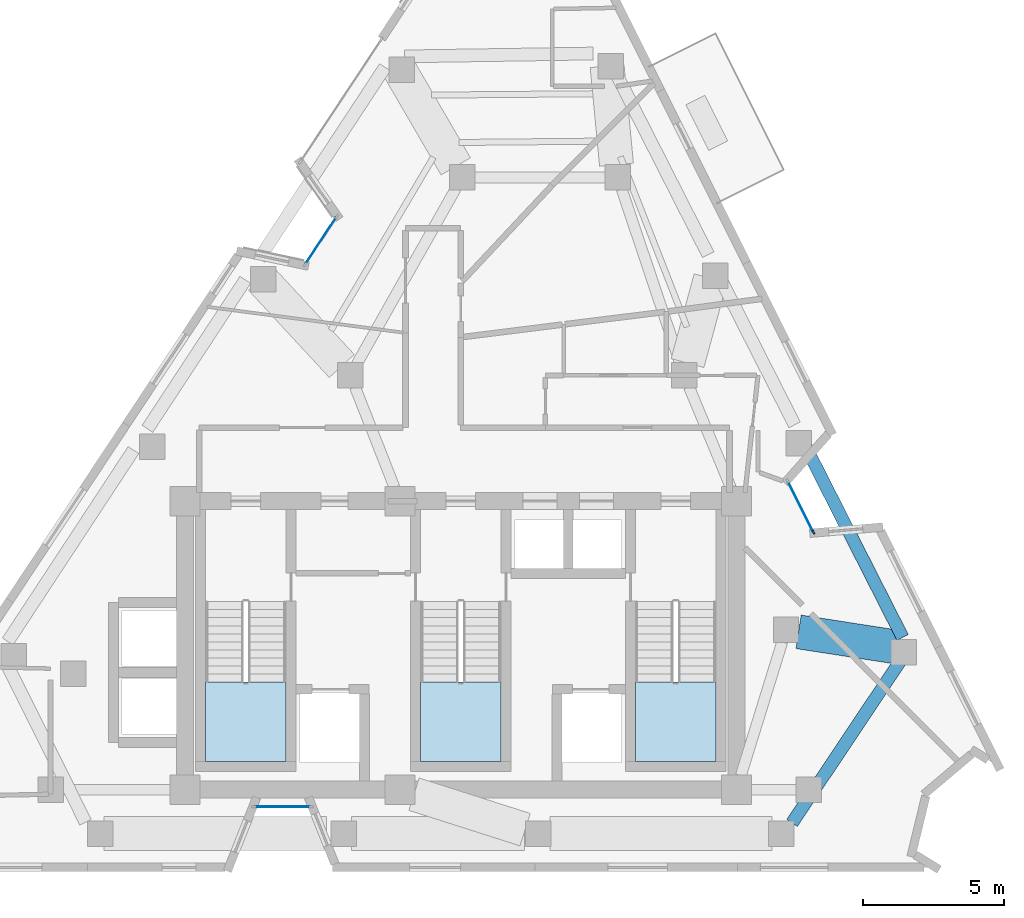
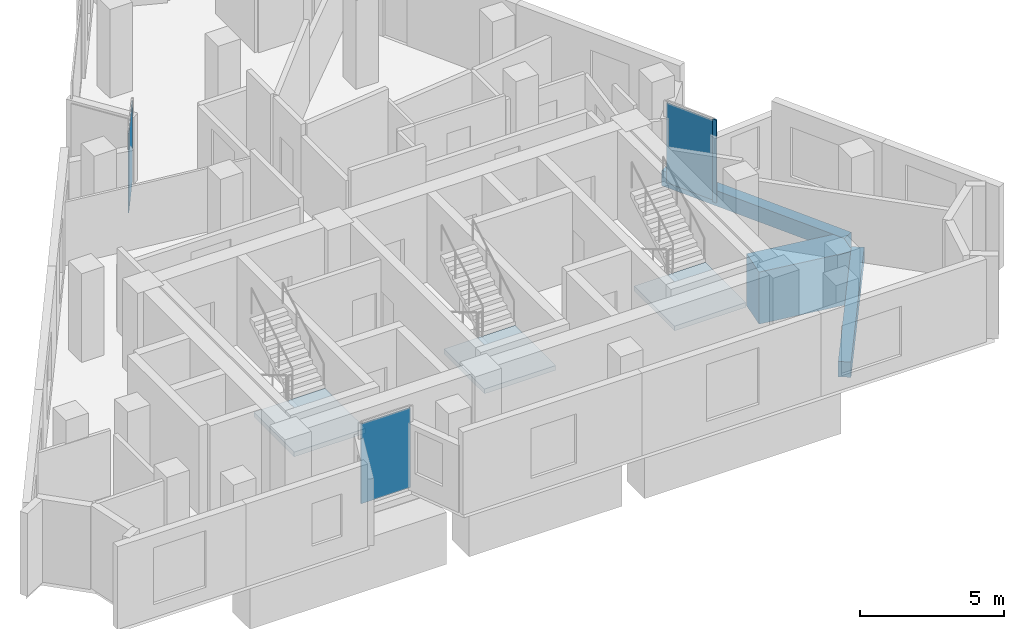
# One storey, part 4 of 9: 3 beams, 3 plates, 3 slabs, 1 member, 6 elements without a shape of their own.
"""IFC4 building model written with IfcOpenShell, lengths in metres."""

import ifcopenshell
import ifcopenshell.guid

model = None  # the IFC model being written
_history = None  # IfcOwnerHistory: only IFC2X3 demands one
_inside = {}  # id of a spatial element -> (the spatial element, [elements in it])
_under = {}  # id of a project, library or spatial element -> (it, [spatial elements below it])
_declared = {}  # id of a project -> (the project, [libraries it declares])
_typed = {}  # id of a type object -> (the type object, [elements of that type])
_made_of = {}  # id of a material, layer set ... -> (it, [elements and type objects made of it])


def new_model(schema):
    """Start an empty IFC model of exactly this schema.

    Asked for "IFC4X3", IfcOpenShell would pick the latest addendum, in which some entities
    have other attributes; the version numbers below select the first issue.
    IFC2X3 requires an IfcOwnerHistory on every rooted entity: one is made here for all.
    """
    global model, _history
    if schema == "IFC4X3":
        model = ifcopenshell.file(schema_version=(4, 3, 0, 0))
    else:
        model = ifcopenshell.file(schema=schema)
    _inside.clear()
    _under.clear()
    _declared.clear()
    _typed.clear()
    _made_of.clear()
    _history = None
    if model.schema == "IFC2X3":
        org = make("IfcOrganization", Name="unknown")
        user = make(
            "IfcPersonAndOrganization",
            ThePerson=make("IfcPerson", FamilyName="unknown"),
            TheOrganization=org,
        )
        app = make(
            "IfcApplication",
            ApplicationDeveloper=org,
            Version="unknown",
            ApplicationFullName="unknown",
            ApplicationIdentifier="unknown",
        )
        _history = make(
            "IfcOwnerHistory",
            OwningUser=user,
            OwningApplication=app,
            ChangeAction="ADDED",
            CreationDate=0,
        )
    return model


def make(cls, **values):
    """One entity of the class cls with the attributes given. An attribute that is None is left unset."""
    return model.create_entity(
        cls, **{name: value for name, value in values.items() if value is not None}
    )


def rooted(cls, **values):
    """An entity with a GlobalId (a new one), such as an element, a storey or a relation."""
    return make(cls, GlobalId=ifcopenshell.guid.new(), OwnerHistory=_history, **values)


def si_unit(unit_type, name, prefix=None):
    """IfcSIUnit, for example si_unit("LENGTHUNIT", "METRE", prefix="MILLI")."""
    return make("IfcSIUnit", UnitType=unit_type, Prefix=prefix, Name=name)


def assignment(units):
    """IfcUnitAssignment: the units of a project."""
    return None if units is None else make("IfcUnitAssignment", Units=units)


def point(xyz):
    """IfcCartesianPoint."""
    return None if xyz is None else make("IfcCartesianPoint", Coordinates=xyz)


def direction(xyz):
    """IfcDirection."""
    return None if xyz is None else make("IfcDirection", DirectionRatios=xyz)


def frame(location, z_axis=None, x_axis=None):
    """IfcAxis2Placement3D, a coordinate frame: its origin and axes. An axis left out is left unset."""
    return make(
        "IfcAxis2Placement3D",
        Location=point(location),
        Axis=direction(z_axis),
        RefDirection=direction(x_axis),
    )


def frame_2d(location, x_axis=None):
    """IfcAxis2Placement2D, a coordinate frame in the plane: its origin and x axis."""
    return make(
        "IfcAxis2Placement2D", Location=point(location), RefDirection=direction(x_axis)
    )


def origin():
    """The frame at (0, 0, 0) with its axes left unset."""
    return frame((0.0, 0.0, 0.0))


def origin_2d():
    """The frame at (0, 0) in the plane with its x axis left unset."""
    return frame_2d((0.0, 0.0))


def place(relative_to, where):
    """IfcLocalPlacement: puts the frame where relative to a parent placement (None: the world)."""
    return make(
        "IfcLocalPlacement", PlacementRelTo=relative_to, RelativePlacement=where
    )


def context(
    kind, dimensions, precision=None, world=None, true_north=None, identifier=None
):
    """IfcGeometricRepresentationContext, for example the 3D "Model" context."""
    return make(
        "IfcGeometricRepresentationContext",
        ContextIdentifier=identifier,
        ContextType=kind,
        CoordinateSpaceDimension=dimensions,
        Precision=precision,
        WorldCoordinateSystem=world,
        TrueNorth=true_north,
    )


def subcontext(parent, identifier, kind, view, scale=None):
    """IfcGeometricRepresentationSubContext, for example "Body" below "Model"."""
    return make(
        "IfcGeometricRepresentationSubContext",
        ContextIdentifier=identifier,
        ContextType=kind,
        ParentContext=parent,
        TargetScale=scale,
        TargetView=view,
    )


def project(units=None, contexts=None):
    """IfcProject with its units and contexts."""
    return rooted(
        "IfcProject",
        Name="project",
        RepresentationContexts=contexts,
        UnitsInContext=assignment(units),
    )


def spatial(cls, under=None, at=None, **own):
    """A site, building, storey or space (cls), placed at a placement, below another one or the project."""
    s = rooted(cls, ObjectPlacement=at, **own)
    if under is not None:
        _under.setdefault(under.id(), (under, []))[1].append(s)
    return s


def polyline(points):
    """IfcPolyline through the points."""
    return make("IfcPolyline", Points=[point(p) for p in points])


def profile(cls, at=None, kind="AREA", **sizes):
    """A parametric profile (cls). Its sizes go by their IFC names, for example OverallWidth=200.0."""
    return make(cls, ProfileType=kind, Position=at, **sizes)


def rectangle(**sizes):
    """IfcRectangleProfileDef."""
    return profile("IfcRectangleProfileDef", **sizes)


def outline(outer, holes=None, kind="AREA"):
    """IfcArbitraryClosedProfileDef: a profile drawn as a closed curve; with holes, ...WithVoids."""
    if holes is None:
        return make("IfcArbitraryClosedProfileDef", ProfileType=kind, OuterCurve=outer)
    return make(
        "IfcArbitraryProfileDefWithVoids",
        ProfileType=kind,
        OuterCurve=outer,
        InnerCurves=holes,
    )


def extrude(swept, where, along, depth):
    """IfcExtrudedAreaSolid: the profile swept, set in the frame where, extruded along a direction by depth."""
    return make(
        "IfcExtrudedAreaSolid",
        SweptArea=swept,
        Position=where,
        ExtrudedDirection=direction(along),
        Depth=depth,
    )


def shape(context_of_items, identifier, shape_type, items):
    """IfcShapeRepresentation: the items that make up one representation, for example the "Body"."""
    return make(
        "IfcShapeRepresentation",
        ContextOfItems=context_of_items,
        RepresentationIdentifier=identifier,
        RepresentationType=shape_type,
        Items=items,
    )


def material(Name=None, Category=None):
    """IfcMaterial."""
    return make("IfcMaterial", Name=Name, Category=Category)


def layer(
    of_material, thickness, ventilated=None, Name=None, Category=None, Priority=None
):
    """IfcMaterialLayer: one layer of a wall or slab, of a material (None: an air gap)."""
    return make(
        "IfcMaterialLayer",
        Material=of_material,
        LayerThickness=thickness,
        IsVentilated=ventilated,
        Name=Name,
        Category=Category,
        Priority=Priority,
    )


def layer_set(layers, Name=None):
    """IfcMaterialLayerSet."""
    return make("IfcMaterialLayerSet", MaterialLayers=layers, LayerSetName=Name)


def material_profile(
    of_material, cross_section, Name=None, Category=None, Priority=None
):
    """IfcMaterialProfile: a cross section and its material."""
    return make(
        "IfcMaterialProfile",
        Name=Name,
        Material=of_material,
        Profile=cross_section,
        Priority=Priority,
        Category=Category,
    )


def profile_set(profiles, Name=None, composite=None):
    """IfcMaterialProfileSet."""
    return make(
        "IfcMaterialProfileSet",
        Name=Name,
        MaterialProfiles=profiles,
        CompositeProfile=composite,
    )


def made_of(thing, what):
    """Note that an element or type object is made of a material, layer set ...; save() writes the relation."""
    if what is not None:
        _made_of.setdefault(what.id(), (what, []))[1].append(thing)
    return thing


def type_object(cls, material=None, **own):
    """A type object (cls), such as IfcWallType, which elements share."""
    return made_of(rooted(cls, **own), material)


def element(
    cls,
    number,
    at=None,
    inside=None,
    cuts=None,
    type_object=None,
    material=None,
    context=None,
    identifier="Body",
    shape_type=None,
    held_by="IfcProductDefinitionShape",
    body=None,
    shapes=None,
    **own,
):
    """One element of the class cls, such as IfcWall. Its Tag is "e" and its number.

    at: its placement. inside: the storey or other place that contains it. cuts: it is an
    opening in that element (IfcRelVoidsElement). A single representation is given by context,
    identifier, shape_type and body (its items); several are given by shapes. held_by: the class
    of the entity that holds the representations. save() writes the other relations.
    """
    e = rooted(cls, Tag="e%d" % number, ObjectPlacement=at, **own)
    if body is not None:
        shapes = [shape(context, identifier, shape_type, body)]
    if shapes is not None:
        e.Representation = make(held_by, Representations=shapes)
    if inside is not None:
        _inside.setdefault(inside.id(), (inside, []))[1].append(e)
    if cuts is not None:
        rooted(
            "IfcRelVoidsElement", RelatingBuildingElement=cuts, RelatedOpeningElement=e
        )
    if type_object is not None:
        _typed.setdefault(type_object.id(), (type_object, []))[1].append(e)
    return made_of(e, material)


def aggregate(whole, parts):
    """IfcRelAggregates: a whole, such as a stair, and the parts it consists of."""
    return rooted("IfcRelAggregates", RelatingObject=whole, RelatedObjects=parts)


def save(model, path):
    """Write the relations noted so far, then the file.

    IfcRelAggregates (storeys below a building ...), IfcRelContainedInSpatialStructure (elements
    in a storey), IfcRelDefinesByType, IfcRelAssociatesMaterial and IfcRelDeclares: one each for
    every whole, place, type object, material and project.
    """
    for whole, parts in _under.values():
        aggregate(whole, parts)
    for where, things in _inside.values():
        rooted(
            "IfcRelContainedInSpatialStructure",
            RelatedElements=things,
            RelatingStructure=where,
        )
    for kind, things in _typed.values():
        rooted("IfcRelDefinesByType", RelatedObjects=things, RelatingType=kind)
    for what, things in _made_of.values():
        rooted("IfcRelAssociatesMaterial", RelatedObjects=things, RelatingMaterial=what)
    for by, libraries in _declared.values():
        rooted("IfcRelDeclares", RelatingContext=by, RelatedDefinitions=libraries)
    model.write(path)


model = new_model("IFC4")

# Units and contexts
model_context = context("Model", 3, precision=1e-05, world=origin(), true_north=direction((0.0, 1.0)))
body_context = subcontext(model_context, "Body", "Model", "MODEL_VIEW")
ifc_project = project(units=[si_unit("LENGTHUNIT", "METRE"), si_unit("AREAUNIT", "SQUARE_METRE"), si_unit("VOLUMEUNIT", "CUBIC_METRE"), si_unit("PLANEANGLEUNIT", "RADIAN"), si_unit("MASSUNIT", "GRAM", prefix="KILO")], contexts=[model_context])

# Site, building, storey
site_placement = place(None, origin())
site = spatial("IfcSite", under=ifc_project, at=site_placement, CompositionType="ELEMENT")
building_placement = place(site_placement, origin())
building = spatial("IfcBuilding", under=site, at=building_placement, Name="Almagre Mirador Tower", CompositionType="ELEMENT")
storey_placement = place(building_placement, frame((0.0, 0.0, 252.0)))
storey = spatial("IfcBuildingStorey", under=building, at=storey_placement, Name="L65", CompositionType="ELEMENT", Elevation=252.0)

# Beams
ifc_material_1 = material(Name="Precast concrete C50/60", Category="concrete")
ifc_material_profile_1 = material_profile(ifc_material_1, rectangle(XDim=0.449951171875, YDim=0.64990234375, at=origin_2d()), Name="RC450X650")
ifc_profile_set_1 = profile_set([ifc_material_profile_1], Name="Precast concrete C50/60")
beam_type_1 = type_object("IfcBeamType", Name="BM-SPN-RC450X650", PredefinedType="SPANDREL", material=ifc_profile_set_1)
beam_1_placement = place(storey_placement, frame((49.01416015625, 3.3740234375, -0.574951171875), z_axis=(0.555688352968, 0.831390674939, 0.0), x_axis=(-0.831390674939, 0.555688352968, 0.0)))
element("IfcBeam", 1, at=beam_1_placement, inside=storey, type_object=beam_type_1, Name="L65 perimeter spandrel beam PC04-PC05", PredefinedType="SPANDREL", context=body_context, shape_type="SweptSolid", body=[
    extrude(rectangle(XDim=0.449951171875, YDim=0.64990234375, at=origin_2d()), origin(), (0.0, 0.0, 1.0), 6.953125),
])
beam_2_placement = place(storey_placement, frame((52.92431640625, 9.93017578125, -0.574951171875), z_axis=(-0.452920240804, 0.891551039184, 0.0), x_axis=(-0.891551039184, -0.452920240804, 0.0)))
element("IfcBeam", 2, at=beam_2_placement, inside=storey, type_object=beam_type_1, Name="L65 perimeter spandrel beam PC05-PC06", PredefinedType="SPANDREL", context=body_context, shape_type="SweptSolid", body=[
    extrude(rectangle(XDim=0.449951171875, YDim=0.64990234375, at=origin_2d()), origin(), (0.0, 0.0, 1.0), 7.53466796875),
])
ifc_material_2 = material(Name="Concrete C60/75", Category="concrete")
ifc_material_profile_2 = material_profile(ifc_material_2, rectangle(XDim=1.199951171875, YDim=2.199951171875, at=origin_2d()), Name="RC1200X2200")
ifc_profile_set_2 = profile_set([ifc_material_profile_2], Name="Concrete C60/75")
beam_type_2 = type_object("IfcBeamType", Name="BM-XFER-RC1200X2200", PredefinedType="BEAM", material=ifc_profile_set_2)
beam_3_placement = place(storey_placement, frame((52.683349609375, 9.597900390625, -1.35009765625), z_axis=(-0.988190943166, 0.153227477449, 0.0), x_axis=(-0.153227477449, -0.988190943166, 0.0)))
element("IfcBeam", 3, at=beam_3_placement, inside=storey, type_object=beam_type_2, Name="L65 radial transfer girder PC05-MC3", PredefinedType="BEAM", context=body_context, shape_type="SweptSolid", body=[
    extrude(rectangle(XDim=1.199951171875, YDim=2.199951171875, at=origin_2d()), origin(), (0.0, 0.0, 1.0), 3.479736328125),
])

# Curtain wall, member
ifc_material_3 = material(Name="Black anodized aluminium", Category="aluminium")
ifc_layer_1 = layer(ifc_material_3, 0.169921875)
ifc_layer_set_1 = layer_set([ifc_layer_1], Name="Black anodized aluminium")
curtain_wall_type = type_object("IfcCurtainWallType", Name="CW-CRS-SYS", PredefinedType="NOTDEFINED", material=ifc_layer_set_1)
curtain_wall_1_placement = place(storey_placement, origin())
curtain_wall_1 = element("IfcCurtainWall", 4, at=curtain_wall_1_placement, inside=storey, type_object=curtain_wall_type, Name="L65 vertical crease curtain wall 03", PredefinedType="NOTDEFINED")
ifc_material_4 = material(Name="Black anodized aluminium", Category="aluminium")
ifc_material_profile_3 = material_profile(ifc_material_4, rectangle(XDim=0.06005859375, YDim=0.14990234375, at=origin_2d()), Name="CWM60X150")
ifc_profile_set_3 = profile_set([ifc_material_profile_3], Name="Black anodized aluminium")
member_type = type_object("IfcMemberType", Name="MBR-CWM60X150", PredefinedType="MULLION", material=ifc_profile_set_3)
member_placement = place(storey_placement, frame((49.7685546875, 13.65576171875, 0.0), z_axis=(0.0, 0.0, 1.0), x_axis=(0.894331468918, 0.447404988464, 0.0)))
member = element("IfcMember", 5, at=member_placement, type_object=member_type, Name="CW-4 mullion 2", PredefinedType="MULLION", context=body_context, shape_type="SweptSolid", body=[
    extrude(rectangle(XDim=0.06005859375, YDim=0.14990234375, at=origin_2d()), origin(), (0.0, 0.0, 1.0), 3.5),
])

# Curtain wall, plate
curtain_wall_2_placement = place(storey_placement, origin())
curtain_wall_2 = element("IfcCurtainWall", 6, at=curtain_wall_2_placement, inside=storey, type_object=curtain_wall_type, Name="L65 vertical crease curtain wall 01", PredefinedType="NOTDEFINED")
ifc_material_5 = material(Name="Dark solar-control laminated hurricane glass", Category="glass")
ifc_layer_2 = layer(ifc_material_5, 0.028076171875)
ifc_layer_set_2 = layer_set([ifc_layer_2], Name="Dark solar-control laminated hurricane glass")
plate_type = type_object("IfcPlateType", Name="PLT-GLZ-28", PredefinedType="CURTAIN_PANEL", material=ifc_layer_set_2)
plate_1_placement = place(storey_placement, frame((32.35595703125, 23.965576171875, 0.06005859375), z_axis=(0.0, 0.0, 1.0), x_axis=(0.552047907303, 0.833812393793, 0.0)))
plate_1 = element("IfcPlate", 7, at=plate_1_placement, type_object=plate_type, Name="CW-4 panel 1.1", PredefinedType="CURTAIN_PANEL", context=body_context, shape_type="SweptSolid", body=[
    extrude(rectangle(XDim=1.970458984375, YDim=0.028076171875, at=origin_2d()), origin(), (0.0, 0.0, 1.0), 3.3798828125),
])
aggregate(curtain_wall_2, [plate_1])

# Plate
plate_2_placement = place(storey_placement, frame((49.314453125, 14.5634765625, 0.06005859375), z_axis=(0.0, 0.0, 1.0), x_axis=(0.447404988464, -0.894331468918, 0.0)))
plate_2 = element("IfcPlate", 8, at=plate_2_placement, type_object=plate_type, Name="CW-4 panel 1.1", PredefinedType="CURTAIN_PANEL", context=body_context, shape_type="SweptSolid", body=[
    extrude(rectangle(XDim=1.9697265625, YDim=0.028076171875, at=origin_2d()), origin(), (0.0, 0.0, 1.0), 3.3798828125),
])

aggregate(curtain_wall_1, [member, plate_2])

# Curtain wall, plate
curtain_wall_3_placement = place(storey_placement, origin())
curtain_wall_3 = element("IfcCurtainWall", 9, at=curtain_wall_3_placement, inside=storey, type_object=curtain_wall_type, Name="L65 vertical crease curtain wall 04", PredefinedType="NOTDEFINED")
plate_3_placement = place(storey_placement, frame((31.0, 3.949951171875, 0.06005859375), z_axis=(0.0, 0.0, 1.0), x_axis=(-1.0, 0.0, 0.0)))
plate_3 = element("IfcPlate", 10, at=plate_3_placement, type_object=plate_type, Name="CW-4 panel 1.1", PredefinedType="CURTAIN_PANEL", context=body_context, shape_type="SweptSolid", body=[
    extrude(rectangle(XDim=1.969970703125, YDim=0.028076171875, at=origin_2d()), origin(), (0.0, 0.0, 1.0), 3.3798828125),
])
aggregate(curtain_wall_3, [plate_3])

# Stair, slab
ifc_material_6 = material(Name="Concrete C45/55", Category="concrete")
stair_type = type_object("IfcStairType", Name="STR-DL-3750", PredefinedType="HALF_TURN_STAIR", material=ifc_material_6)
stair_1_placement = place(storey_placement, origin())
stair_1 = element("IfcStair", 11, at=stair_1_placement, inside=storey, type_object=stair_type, Name="L65 Protected exit stair ST-1", PredefinedType="HALF_TURN_STAIR")
ifc_material_7 = material(Name="Concrete C45/55", Category="concrete")
ifc_layer_3 = layer(ifc_material_7, 0.199951171875)
ifc_layer_set_3 = layer_set([ifc_layer_3], Name="Concrete C45/55")
slab_type = type_object("IfcSlabType", Name="SLB-LND-200", PredefinedType="LANDING", material=ifc_layer_set_3)
slab_1_placement = place(storey_placement, frame((0.0, 0.0, 1.675048828125)))
slab_1 = element("IfcSlab", 12, at=slab_1_placement, type_object=slab_type, Name="ST-1 landing 1", PredefinedType="LANDING", context=body_context, shape_type="SweptSolid", body=[
    extrude(outline(polyline([(28.27490234375, 8.35009765625), (28.27490234375, 5.550048828125), (31.125, 5.550048828125), (31.125, 8.35009765625), (28.27490234375, 8.35009765625)])), origin(), (0.0, 0.0, 1.0), 0.199951171875),
])
aggregate(stair_1, [slab_1])

stair_2_placement = place(storey_placement, origin())
stair_2 = element("IfcStair", 13, at=stair_2_placement, inside=storey, type_object=stair_type, Name="L65 Protected exit stair ST-2", PredefinedType="HALF_TURN_STAIR")
slab_2_placement = place(storey_placement, frame((0.0, 0.0, 1.675048828125)))
slab_2 = element("IfcSlab", 14, at=slab_2_placement, type_object=slab_type, Name="ST-2 landing 1", PredefinedType="LANDING", context=body_context, shape_type="SweptSolid", body=[
    extrude(outline(polyline([(35.875, 8.35009765625), (35.875, 5.550048828125), (38.72509765625, 5.550048828125), (38.72509765625, 8.35009765625), (35.875, 8.35009765625)])), origin(), (0.0, 0.0, 1.0), 0.199951171875),
])
aggregate(stair_2, [slab_2])

stair_3_placement = place(storey_placement, origin())
stair_3 = element("IfcStair", 15, at=stair_3_placement, inside=storey, type_object=stair_type, Name="L65 Protected exit stair ST-3", PredefinedType="HALF_TURN_STAIR")
slab_3_placement = place(storey_placement, frame((0.0, 0.0, 1.675048828125)))
slab_3 = element("IfcSlab", 16, at=slab_3_placement, type_object=slab_type, Name="ST-3 landing 1", PredefinedType="LANDING", context=body_context, shape_type="SweptSolid", body=[
    extrude(outline(polyline([(43.47509765625, 8.35009765625), (43.47509765625, 5.550048828125), (46.324951171875, 5.550048828125), (46.324951171875, 8.35009765625), (43.47509765625, 8.35009765625)])), origin(), (0.0, 0.0, 1.0), 0.199951171875),
])
aggregate(stair_3, [slab_3])

save(model, "model.ifc")
